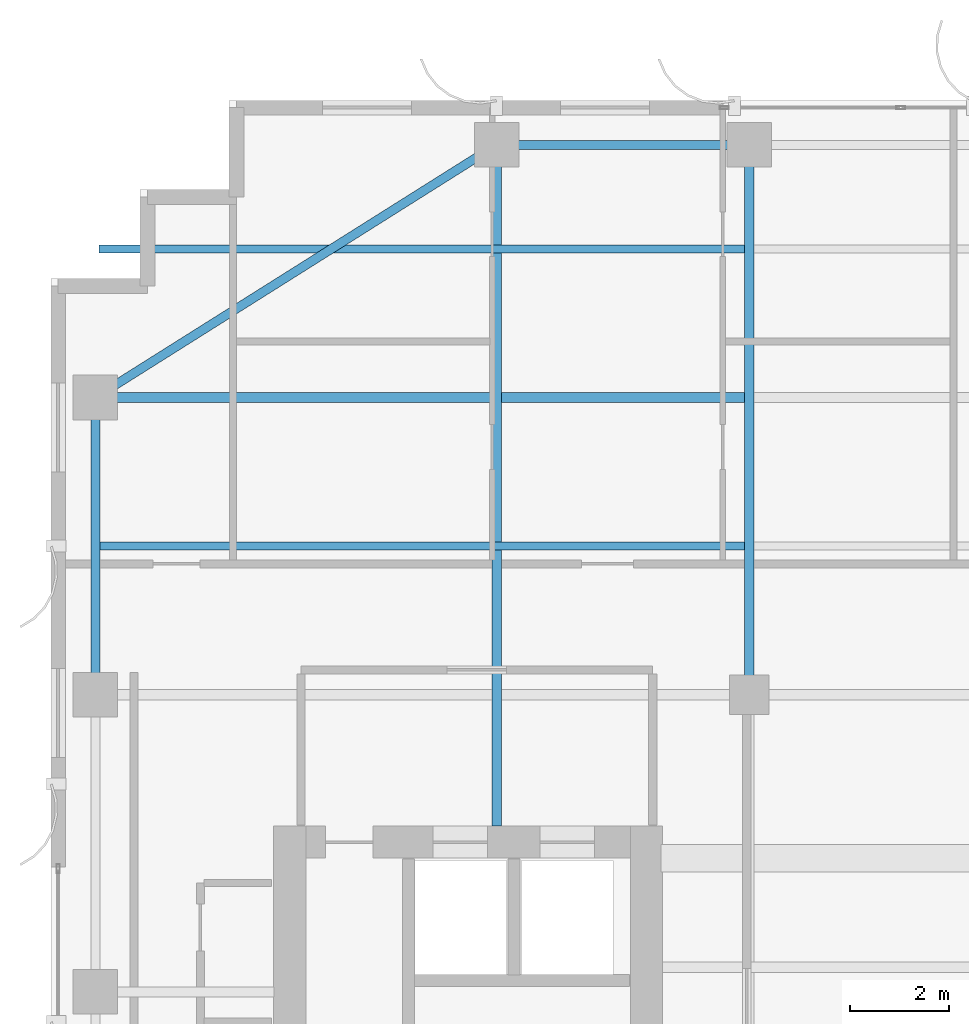
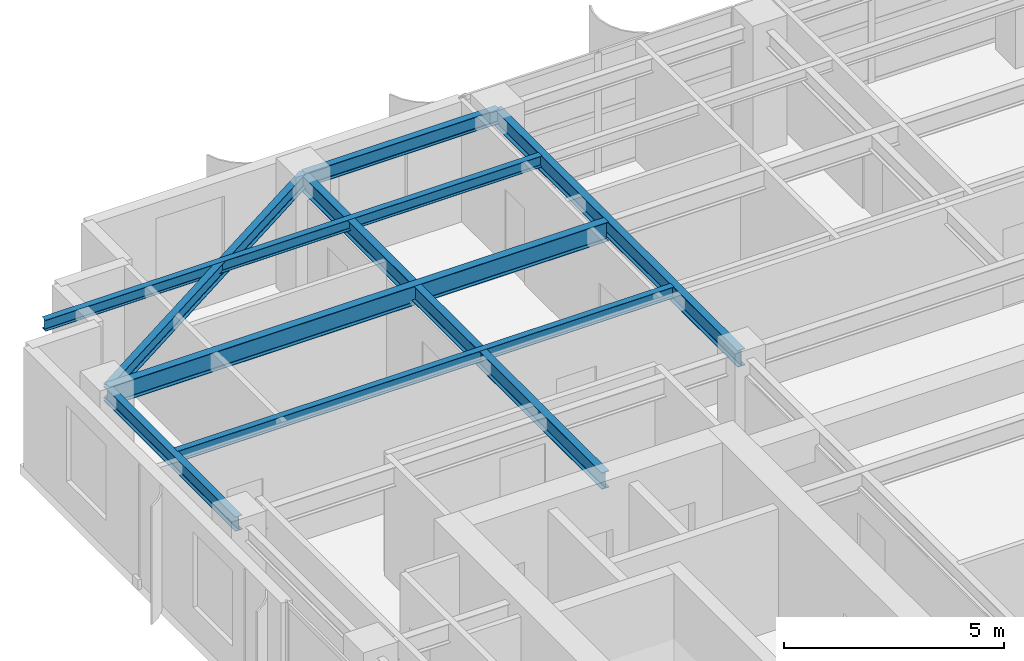
# One storey, part 13 of 25: 8 beams.
"""IFC4 building model written with IfcOpenShell, lengths in metres."""

from ifc_helpers import new_model, si_unit, direction, frame, origin, origin_2d, place, context, subcontext, project, spatial, i_section, extrude, source, transform, mapped, material, material_profile, profile_set, type_object, element, save


model = new_model("IFC4")

# Units and contexts
model_context = context("Model", 3, precision=1e-05, world=origin(), true_north=direction((0.0, 1.0)))
body_context = subcontext(model_context, "Body", "Model", "MODEL_VIEW")
ifc_project = project(units=[si_unit("LENGTHUNIT", "METRE"), si_unit("AREAUNIT", "SQUARE_METRE"), si_unit("VOLUMEUNIT", "CUBIC_METRE"), si_unit("PLANEANGLEUNIT", "RADIAN"), si_unit("MASSUNIT", "GRAM", prefix="KILO")], contexts=[model_context])

# Site, building, storey
site_placement = place(None, origin())
site = spatial("IfcSite", under=ifc_project, at=site_placement, CompositionType="ELEMENT")
building_placement = place(site_placement, origin())
building = spatial("IfcBuilding", under=site, at=building_placement, Name="Khoralis Quay Care Tower", CompositionType="ELEMENT")
storey_placement = place(building_placement, frame((0.0, 0.0, 166.5)))
storey = spatial("IfcBuildingStorey", under=building, at=storey_placement, Name="L43", CompositionType="ELEMENT", Elevation=166.5)

# Beams
ifc_material = material(Name="Steel S355", Category="steel")
ifc_material_profile_1 = material_profile(ifc_material, i_section(OverallWidth=0.179931640625, OverallDepth=0.39990234375, WebThickness=0.008544921875, FlangeThickness=0.013427734375, FilletRadius=0.02099609375, at=origin_2d()), Name="Steel S355")
ifc_profile_set_1 = profile_set([ifc_material_profile_1], Name="Steel S355")
beam_type_1 = type_object("IfcBeamType", Name="BM-IPE400", PredefinedType="SPANDREL", material=ifc_profile_set_1)
shared_shape_1 = source(origin(), body_context, "Body", "SweptSolid", [
    extrude(i_section(OverallWidth=0.179931640625, OverallDepth=0.39990234375, WebThickness=0.008544921875, FlangeThickness=0.013427734375, FilletRadius=0.02099609375, at=origin_2d()), origin(), (0.0, 0.0, 1.0), 6.0),
])
beam_1_placement = place(storey_placement, frame((3.89990234375, 30.0, 3.139892578125), z_axis=(0.0, 1.0, 0.0), x_axis=(-1.0, 0.0, 0.0)))
element("IfcBeam", 1, at=beam_1_placement, inside=storey, type_object=beam_type_1, Name="BM-TSP-L43-13", PredefinedType="SPANDREL", context=body_context, shape_type="MappedRepresentation", body=[
    mapped(shared_shape_1, transform((0.0, 0.0, 0.0), scale=1.0)),
])
shared_shape_2 = source(origin(), body_context, "Body", "SweptSolid", [
    extrude(i_section(OverallWidth=0.179931640625, OverallDepth=0.39990234375, WebThickness=0.008544921875, FlangeThickness=0.013427734375, FilletRadius=0.02099609375, at=origin_2d()), origin(), (0.0, 0.0, 1.0), 5.10009765625),
])
beam_2_placement = place(storey_placement, frame((12.0, 41.10009765625, 3.139892578125), z_axis=(1.0, 0.0, 0.0), x_axis=(0.0, 1.0, 0.0)))
element("IfcBeam", 2, at=beam_2_placement, inside=storey, type_object=beam_type_1, Name="BM-TSP-L43-05", PredefinedType="SPANDREL", context=body_context, shape_type="MappedRepresentation", body=[
    mapped(shared_shape_2, transform((0.0, 0.0, 0.0), scale=1.0)),
])
shared_shape_3 = source(origin(), body_context, "Body", "SweptSolid", [
    extrude(i_section(OverallWidth=0.179931640625, OverallDepth=0.39990234375, WebThickness=0.008544921875, FlangeThickness=0.013427734375, FilletRadius=0.02099609375, at=origin_2d()), origin(), (0.0, 0.0, 1.0), 9.572021484375),
])
beam_3_placement = place(storey_placement, frame((12.0, 41.10009765625, 3.139892578125), z_axis=(-0.846231136359, -0.532815975602, 0.0), x_axis=(0.532815975602, -0.846231136359, 0.0)))
element("IfcBeam", 3, at=beam_3_placement, inside=storey, type_object=beam_type_1, Name="BM-TCR-L43-21", PredefinedType="SPANDREL", context=body_context, shape_type="MappedRepresentation", body=[
    mapped(shared_shape_3, transform((0.0, 0.0, 0.0), scale=1.0)),
])
ifc_material_profile_2 = material_profile(ifc_material, i_section(OverallWidth=0.208984375, OverallDepth=0.532958984375, WebThickness=0.01025390625, FlangeThickness=0.015625, FilletRadius=0.01611328125, at=origin_2d()), Name="Steel S355")
ifc_profile_set_2 = profile_set([ifc_material_profile_2], Name="Steel S355")
beam_type_2 = type_object("IfcBeamType", Name="BM-W530X92", PredefinedType="BEAM", material=ifc_profile_set_2)
shared_shape_4 = source(origin(), body_context, "Body", "SweptSolid", [
    extrude(i_section(OverallWidth=0.208984375, OverallDepth=0.532958984375, WebThickness=0.01025390625, FlangeThickness=0.015625, FilletRadius=0.01611328125, at=origin_2d()), origin(), (0.0, 0.0, 1.0), 13.1162109375),
])
beam_4_placement = place(storey_placement, frame((3.89990234375, 36.0, 3.073486328125), z_axis=(1.0, 0.0, 0.0), x_axis=(0.0, 1.0, 0.0)))
element("IfcBeam", 4, at=beam_4_placement, inside=storey, type_object=beam_type_2, Name="BM-TGXW-L43-360", PredefinedType="BEAM", context=body_context, shape_type="MappedRepresentation", body=[
    mapped(shared_shape_4, transform((0.0, 0.0, 0.0), scale=1.0)),
])
ifc_material_profile_3 = material_profile(ifc_material, i_section(OverallWidth=0.19189453125, OverallDepth=0.462890625, WebThickness=0.010498046875, FlangeThickness=0.017578125, FilletRadius=0.014892578125, at=origin_2d()), Name="Steel S355")
ifc_profile_set_3 = profile_set([ifc_material_profile_3], Name="Steel S355")
beam_type_3 = type_object("IfcBeamType", Name="BM-W460X89", PredefinedType="BEAM", material=ifc_profile_set_3)
shared_shape_5 = source(origin(), body_context, "Body", "SweptSolid", [
    extrude(i_section(OverallWidth=0.19189453125, OverallDepth=0.462890625, WebThickness=0.010498046875, FlangeThickness=0.017578125, FilletRadius=0.014892578125, at=origin_2d()), origin(), (0.0, 0.0, 1.0), 11.10009765625),
])
beam_5_placement = place(storey_placement, frame((17.10009765625, 30.0, 3.1083984375), z_axis=(0.0, 1.0, 0.0), x_axis=(-1.0, 0.0, 0.0)))
element("IfcBeam", 5, at=beam_5_placement, inside=storey, type_object=beam_type_3, Name="BM-TGYN-L43-171", PredefinedType="BEAM", context=body_context, shape_type="MappedRepresentation", body=[
    mapped(shared_shape_5, transform((0.0, 0.0, 0.0), scale=1.0)),
])
shared_shape_6 = source(origin(), body_context, "Body", "SweptSolid", [
    extrude(i_section(OverallWidth=0.19189453125, OverallDepth=0.462890625, WebThickness=0.010498046875, FlangeThickness=0.017578125, FilletRadius=0.014892578125, at=origin_2d()), origin(), (0.0, 0.0, 1.0), 13.752197265625),
])
beam_6_placement = place(storey_placement, frame((12.0, 27.347900390625, 3.1083984375), z_axis=(0.0, 1.0, 0.0), x_axis=(-1.0, 0.0, 0.0)))
element("IfcBeam", 6, at=beam_6_placement, inside=storey, type_object=beam_type_3, Name="BM-TGYN-L43-120", PredefinedType="BEAM", context=body_context, shape_type="MappedRepresentation", body=[
    mapped(shared_shape_6, transform((0.0, 0.0, 0.0), scale=1.0)),
])
ifc_material_profile_4 = material_profile(ifc_material, i_section(OverallWidth=0.1650390625, OverallDepth=0.31005859375, WebThickness=0.005859375, FlangeThickness=0.009765625, FilletRadius=0.011962890625, at=origin_2d()), Name="Steel S355")
ifc_profile_set_4 = profile_set([ifc_material_profile_4], Name="Steel S355")
beam_type_4 = type_object("IfcBeamType", Name="BM-W310X39", PredefinedType="JOIST", material=ifc_profile_set_4)
shared_shape_7 = source(origin(), body_context, "Body", "SweptSolid", [
    extrude(i_section(OverallWidth=0.1650390625, OverallDepth=0.31005859375, WebThickness=0.005859375, FlangeThickness=0.009765625, FilletRadius=0.011962890625, at=origin_2d()), origin(), (0.0, 0.0, 1.0), 13.0400390625),
])
for number, where, z_axis, x_axis, name in (
    (7, (3.97607421875, 33.0, 3.18505859375), (1.0, 0.0, 0.0), (0.0, 1.0, 0.0), "BM-TJS-L43-26"),
    (8, (3.97607421875, 39.0, 3.18505859375), (1.0, 0.0, 0.0), (0.0, 1.0, 0.0), "BM-TJS-L43-29"),
):
    element("IfcBeam", number, at=place(storey_placement, frame(where, z_axis=z_axis, x_axis=x_axis)), inside=storey, type_object=beam_type_4, Name=name, PredefinedType="JOIST", context=body_context, shape_type="MappedRepresentation", body=[
        mapped(shared_shape_7, transform((0.0, 0.0, 0.0), scale=1.0)),
    ])

save(model, "model.ifc")
